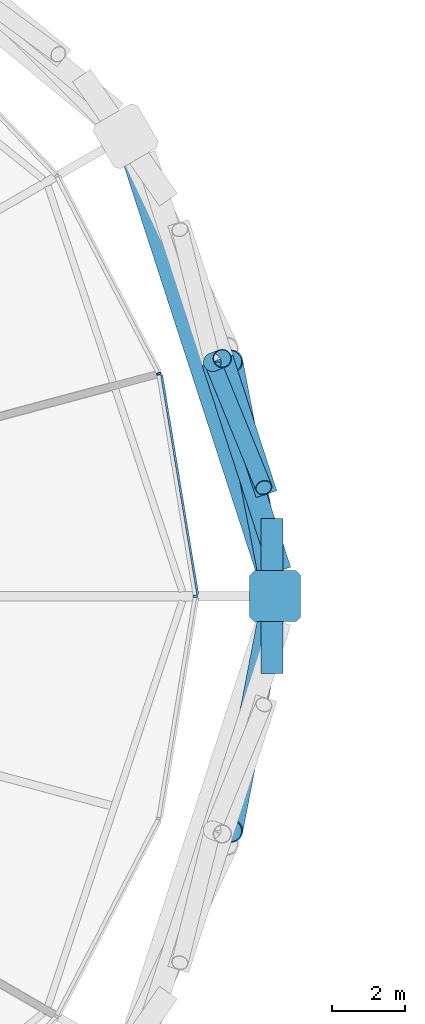
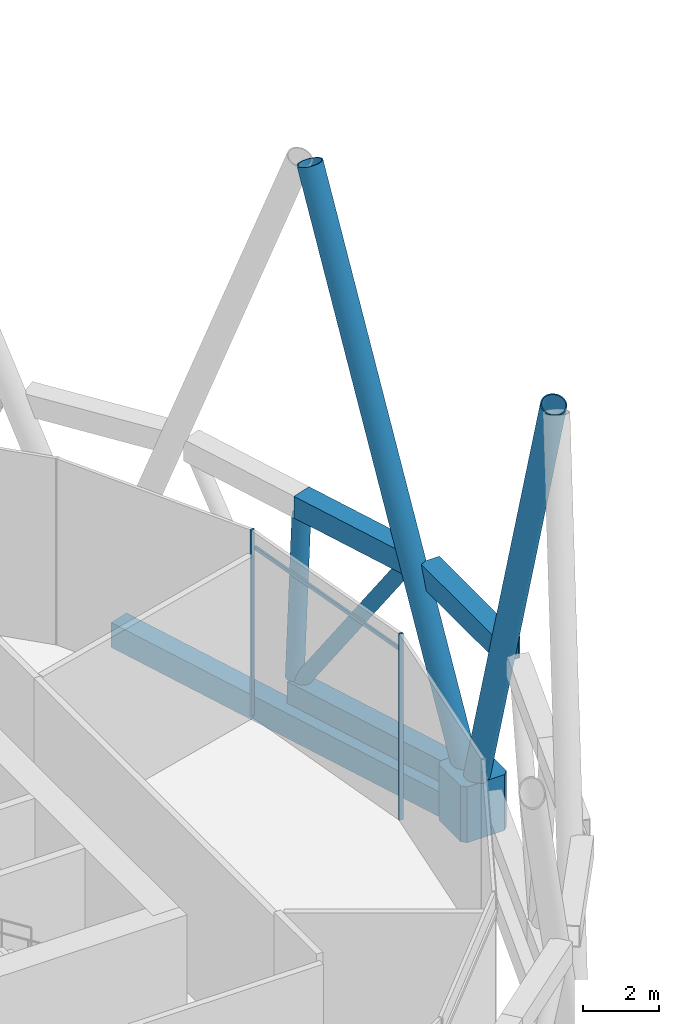
# One storey, part 10 of 33: 11 members, 1 beam, 1 element without a shape of its own.
"""IFC4 building model written with IfcOpenShell, lengths in metres."""

from ifc_helpers import new_model, si_unit, direction, frame, origin, origin_2d, place, context, subcontext, project, spatial, polyline, rectangle, hollow_rectangle, hollow_circle, outline, extrude, material, material_profile, profile_set, type_object, element, aggregate, save


model = new_model("IFC4")

# Units and contexts
model_context = context("Model", 3, precision=1e-05, world=origin(), true_north=direction((0.0, 1.0)))
body_context = subcontext(model_context, "Body", "Model", "MODEL_VIEW")
ifc_project = project(units=[si_unit("LENGTHUNIT", "METRE"), si_unit("AREAUNIT", "SQUARE_METRE"), si_unit("VOLUMEUNIT", "CUBIC_METRE"), si_unit("PLANEANGLEUNIT", "RADIAN"), si_unit("MASSUNIT", "GRAM", prefix="KILO")], contexts=[model_context])

# Site, building, storey
site_placement = place(None, origin())
site = spatial("IfcSite", under=ifc_project, at=site_placement, CompositionType="ELEMENT")
building_placement = place(site_placement, origin())
building = spatial("IfcBuilding", under=site, at=building_placement, Name="Rimbun Link Towers", CompositionType="ELEMENT")
storey_placement = place(building_placement, frame((0.0, 0.0, 75.60009765625)))
storey = spatial("IfcBuildingStorey", under=building, at=storey_placement, Name="L18", CompositionType="ELEMENT", Elevation=75.60009765625)

# Members
ifc_material_1 = material(Name="Steel S460N", Category="steel")
ifc_material_profile_1 = material_profile(ifc_material_1, hollow_rectangle(XDim=0.60009765625, YDim=0.699951171875, WallThickness=0.034912109375, at=origin_2d()), Name="Belt truss chord BOX 600x700x35")
ifc_profile_set_1 = profile_set([ifc_material_profile_1], Name="Steel S460N")
member_type_1 = type_object("IfcMemberType", Name="Belt truss chord BOX 600x700x35", PredefinedType="CHORD", material=ifc_profile_set_1)
member_1_placement = place(storey_placement, frame((-5.885498046875, -2.12451171875, 6.0), z_axis=(0.0, 1.0, 0.0), x_axis=(-1.0, 0.0, 0.0)))
element("IfcMember", 1, at=member_1_placement, inside=storey, type_object=member_type_1, Name="Belt truss chord T1 L18 top 00", PredefinedType="CHORD", context=body_context, shape_type="SweptSolid", body=[
    extrude(hollow_rectangle(XDim=0.60009765625, YDim=0.699951171875, WallThickness=0.034912109375, at=origin_2d()), origin(), (0.0, 0.0, 1.0), 4.2490234375),
])
member_2_placement = place(storey_placement, frame((-5.654296875, 0.70263671875, 0.18994140625), z_axis=(-0.309112714811, 0.951025409514, 0.0), x_axis=(-0.951025409514, -0.309112714811, 0.0)))
element("IfcMember", 2, at=member_2_placement, inside=storey, type_object=member_type_1, Name="Belt truss chord T1 L18 bottom 00", PredefinedType="CHORD", context=body_context, shape_type="SweptSolid", body=[
    extrude(hollow_rectangle(XDim=0.60009765625, YDim=0.699951171875, WallThickness=0.034912109375, at=origin_2d()), origin(), (0.0, 0.0, 1.0), 6.0087890625),
])
member_3_placement = place(storey_placement, frame((-6.03564453125, 2.797607421875, 6.0), z_axis=(-0.309055057174, 0.9510441481, 0.0), x_axis=(-0.9510441481, -0.309055057174, 0.0)))
element("IfcMember", 3, at=member_3_placement, inside=storey, type_object=member_type_1, Name="Belt truss chord T1 L18 top 12", PredefinedType="CHORD", context=body_context, shape_type="SweptSolid", body=[
    extrude(hollow_rectangle(XDim=0.60009765625, YDim=0.699951171875, WallThickness=0.034912109375, at=origin_2d()), origin(), (0.0, 0.0, 1.0), 3.915771484375),
])
ifc_material_2 = material(Name="Steel S355J2H", Category="steel")
ifc_material_profile_2 = material_profile(ifc_material_2, hollow_circle(Radius=0.228515625, WallThickness=0.01611328125, at=origin_2d()), Name="Belt truss diagonal CHS 457x16")
ifc_profile_set_2 = profile_set([ifc_material_profile_2], Name="Steel S355J2H")
member_type_2 = type_object("IfcMemberType", Name="Belt truss diagonal CHS 457x16", PredefinedType="BRACE", material=ifc_profile_set_2)
member_4_placement = place(storey_placement, frame((-7.437744140625, 6.236328125, 0.480224609375), z_axis=(0.210764797167, -0.51689863139, 0.829695127828), x_axis=(0.925981862555, 0.377567994167, 0.0)))
element("IfcMember", 4, at=member_4_placement, inside=storey, type_object=member_type_2, Name="Belt truss diagonal T1 L18 00", PredefinedType="BRACE", context=body_context, shape_type="SweptSolid", body=[
    extrude(hollow_circle(Radius=0.228515625, WallThickness=0.01611328125, at=origin_2d()), origin(), (0.0, 0.0, 1.0), 6.302734375),
])
ifc_material_3 = material(Name="Steel S355J2H", Category="steel")
ifc_material_profile_3 = material_profile(ifc_material_3, hollow_circle(Radius=0.25390625, WallThickness=0.02001953125, at=origin_2d()), Name="Belt truss strut CHS 508x20")
ifc_profile_set_3 = profile_set([ifc_material_profile_3], Name="Steel S355J2H")
member_type_3 = type_object("IfcMemberType", Name="Belt truss strut CHS 508x20", PredefinedType="STRUT", material=ifc_profile_set_3)
member_5_placement = place(storey_placement, frame((-7.51171875, 6.417236328125, 0.539794921875), z_axis=(0.051946987184, 0.020416263099, 0.998441128321), x_axis=(-0.365784577752, 0.930699544794, 0.0)))
element("IfcMember", 5, at=member_5_placement, inside=storey, type_object=member_type_3, Name="Belt truss strut T1 L18 00", PredefinedType="STRUT", context=body_context, shape_type="SweptSolid", body=[
    extrude(hollow_circle(Radius=0.25390625, WallThickness=0.02001953125, at=origin_2d()), origin(), (0.0, 0.0, 1.0), 5.1181640625),
])

# Curtain wall, members
ifc_material_4 = material(Name="Aluminium 6063-T6 louvre wall", Category="aluminium")
curtain_wall_type = type_object("IfcCurtainWallType", Name="CW6 plant floor louvre wall", PredefinedType="NOTDEFINED", material=ifc_material_4)
curtain_wall_placement = place(storey_placement, origin())
curtain_wall = element("IfcCurtainWall", 6, at=curtain_wall_placement, inside=storey, type_object=curtain_wall_type, Name="CW6 L18 T1", PredefinedType="NOTDEFINED")
ifc_material_5 = material(Name="Aluminium 6063-T6", Category="aluminium")
ifc_material_profile_4 = material_profile(ifc_material_5, rectangle(XDim=0.1201171875, YDim=0.06005859375, at=origin_2d()), Name="MULLION 60X120")
ifc_profile_set_4 = profile_set([ifc_material_profile_4], Name="Aluminium 6063-T6")
member_type_4 = type_object("IfcMemberType", Name="CW6 mullion 60X120", PredefinedType="MULLION", material=ifc_profile_set_4)
member_6_placement = place(storey_placement, frame((-8.987548828125, 6.102783203125, 0.0), z_axis=(0.0, 0.0, 1.0), x_axis=(0.949163398776, 0.314783802672, 0.0)))
member_6 = element("IfcMember", 7, at=member_6_placement, type_object=member_type_4, Name="CW6 mullion", PredefinedType="MULLION", context=body_context, shape_type="SweptSolid", body=[
    extrude(rectangle(XDim=0.1201171875, YDim=0.06005859375, at=origin_2d()), origin(), (0.0, 0.0, 1.0), 6.0),
])
member_7_placement = place(storey_placement, frame((-7.984130859375, 0.0, 0.0), z_axis=(0.0, 0.0, 1.0), x_axis=(1.0, 0.0, 0.0)))
member_7 = element("IfcMember", 8, at=member_7_placement, type_object=member_type_4, Name="CW6 mullion", PredefinedType="MULLION", context=body_context, shape_type="SweptSolid", body=[
    extrude(rectangle(XDim=0.1201171875, YDim=0.06005859375, at=origin_2d()), origin(), (0.0, 0.0, 1.0), 6.0),
])
ifc_material_6 = material(Name="Aluminium 6063-T6", Category="aluminium")
ifc_material_profile_5 = material_profile(ifc_material_6, rectangle(XDim=0.06005859375, YDim=0.1201171875, at=origin_2d()), Name="TRANSOM 60X120")
ifc_profile_set_5 = profile_set([ifc_material_profile_5], Name="Aluminium 6063-T6")
member_type_5 = type_object("IfcMemberType", Name="CW6 transom 60X120", PredefinedType="USERDEFINED", material=ifc_profile_set_5)
member_8_placement = place(storey_placement, frame((-8.911376953125, 6.075439453125, 5.39990234375), z_axis=(0.162265268328, -0.986747172631, 0.0), x_axis=(0.986747172631, 0.162265268328, 0.0)))
member_8 = element("IfcMember", 9, at=member_8_placement, type_object=member_type_5, Name="CW6 transom", ObjectType="TRANSOM", PredefinedType="USERDEFINED", context=body_context, shape_type="SweptSolid", body=[
    extrude(rectangle(XDim=0.06005859375, YDim=0.1201171875, at=origin_2d()), origin(), (0.0, 0.0, 1.0), 6.10546875),
])
aggregate(curtain_wall, [member_6, member_7, member_8])

# Members
ifc_material_7 = material(Name="Steel S460NH", Category="steel")
ifc_material_profile_6 = material_profile(ifc_material_7, hollow_circle(Radius=0.355712890625, WallThickness=0.031982421875, at=origin_2d()), Name="Diagrid diagonal CHS 711x32")
ifc_profile_set_6 = profile_set([ifc_material_profile_6], Name="Steel S460NH")
member_type_6 = type_object("IfcMemberType", Name="Diagrid diagonal CHS 711x32", PredefinedType="BRACE", material=ifc_profile_set_6)
for number, where, z_axis, x_axis, name in (
    (10, (-5.828369140625, -0.17724609375, 0.46630859375), (-0.068592129446, -0.354381146913, 0.932581965561), (0.981778697984, -0.190027861601, 0.0), "Diagrid diagonal T1 L18-L22 00a"),
    (11, (-5.828369140625, 0.17724609375, 0.46630859375), (-0.068592129446, 0.354381146913, 0.932581965561), (-0.981778697984, -0.190027861601, 0.0), "Diagrid diagonal T1 L18-L22 00b"),
):
    element("IfcMember", number, at=place(storey_placement, frame(where, z_axis=z_axis, x_axis=x_axis)), inside=storey, type_object=member_type_6, Name=name, PredefinedType="BRACE", context=body_context, shape_type="SweptSolid", body=[
        extrude(hollow_circle(Radius=0.355712890625, WallThickness=0.031982421875, at=origin_2d()), origin(), (0.0, 0.0, 1.0), 17.65771484375),
    ])
ifc_material_8 = material(Name="Cast steel G20Mn5+QT, Rp0.2 300 MPa", Category="steel")
ifc_material_profile_7 = material_profile(ifc_material_8, outline(polyline([(0.699951171875, -0.570068359375), (0.699951171875, 0.570068359375), (0.570068359375, 0.699951171875), (-0.570068359375, 0.699951171875), (-0.699951171875, 0.570068359375), (-0.699951171875, -0.570068359375), (-0.570068359375, -0.699951171875), (0.570068359375, -0.699951171875), (0.699951171875, -0.570068359375)])), Name="NODE 1400x1400")
ifc_profile_set_7 = profile_set([ifc_material_profile_7], Name="Cast steel G20Mn5+QT, Rp0.2 300 MPa")
member_type_7 = type_object("IfcMemberType", Name="Diagrid node cast 1400", PredefinedType="USERDEFINED", material=ifc_profile_set_7)
member_9_placement = place(storey_placement, frame((-5.794189453125, 0.0, -0.900146484375), z_axis=(0.0, 0.0, 1.0), x_axis=(1.0, 0.0, 0.0)))
element("IfcMember", 12, at=member_9_placement, inside=storey, type_object=member_type_7, Name="Diagrid node L18 00", ObjectType="Diagrid node", PredefinedType="USERDEFINED", context=body_context, shape_type="SweptSolid", body=[
    extrude(outline(polyline([(0.699951171875, -0.570068359375), (0.699951171875, 0.570068359375), (0.570068359375, 0.699951171875), (-0.570068359375, 0.699951171875), (-0.699951171875, 0.570068359375), (-0.699951171875, -0.570068359375), (-0.570068359375, -0.699951171875), (0.570068359375, -0.699951171875), (0.699951171875, -0.570068359375)])), origin(), (0.0, 0.0, 1.0), 1.800048828125),
])

# Beam
ifc_material_9 = material(Name="Steel S355J2", Category="steel")
ifc_material_profile_8 = material_profile(ifc_material_9, hollow_rectangle(XDim=0.60009765625, YDim=0.800048828125, WallThickness=0.0400390625, at=origin_2d()), Name="Exoskeleton ring girder BOX 600x800x40")
ifc_profile_set_8 = profile_set([ifc_material_profile_8], Name="Steel S355J2")
beam_type = type_object("IfcBeamType", Name="Exoskeleton ring girder BOX 600x800x40", PredefinedType="BEAM", material=ifc_profile_set_8)
beam_placement = place(storey_placement, frame((-6.010498046875, 0.665771484375, -0.56005859375), z_axis=(-0.309072117374, 0.951038603981, 0.0), x_axis=(-0.951038603981, -0.309072117374, 0.0)))
element("IfcBeam", 13, at=beam_placement, inside=storey, type_object=beam_type, Name="Exoskeleton ring girder L18 00", PredefinedType="BEAM", context=body_context, shape_type="SweptSolid", body=[
    extrude(hollow_rectangle(XDim=0.60009765625, YDim=0.800048828125, WallThickness=0.0400390625, at=origin_2d()), origin(), (0.0, 0.0, 1.0), 11.86767578125),
])

save(model, "model.ifc")
